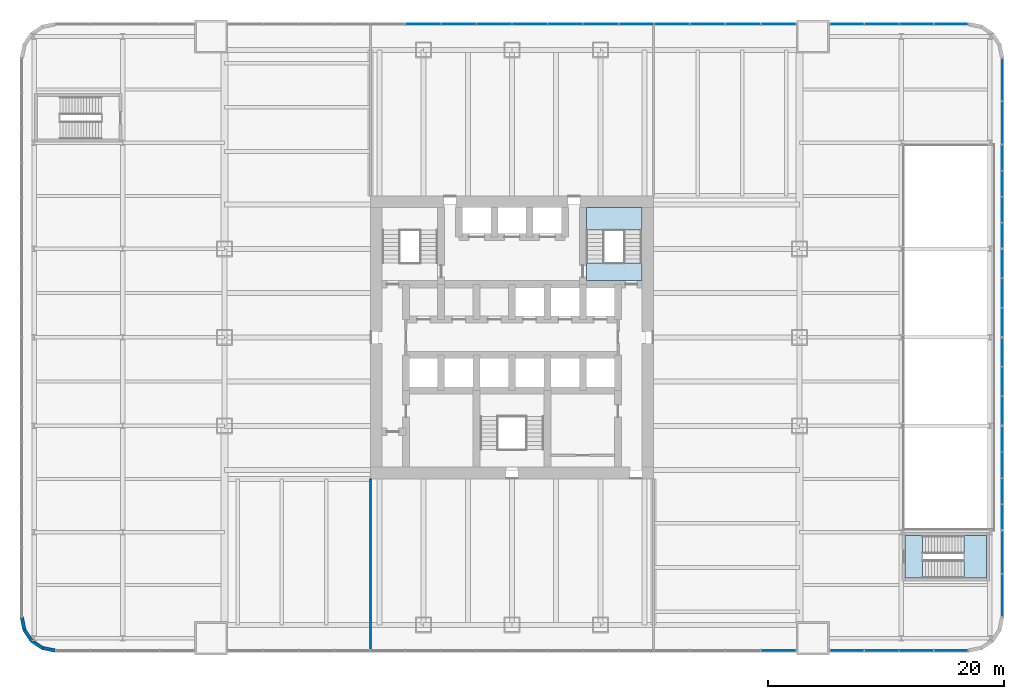
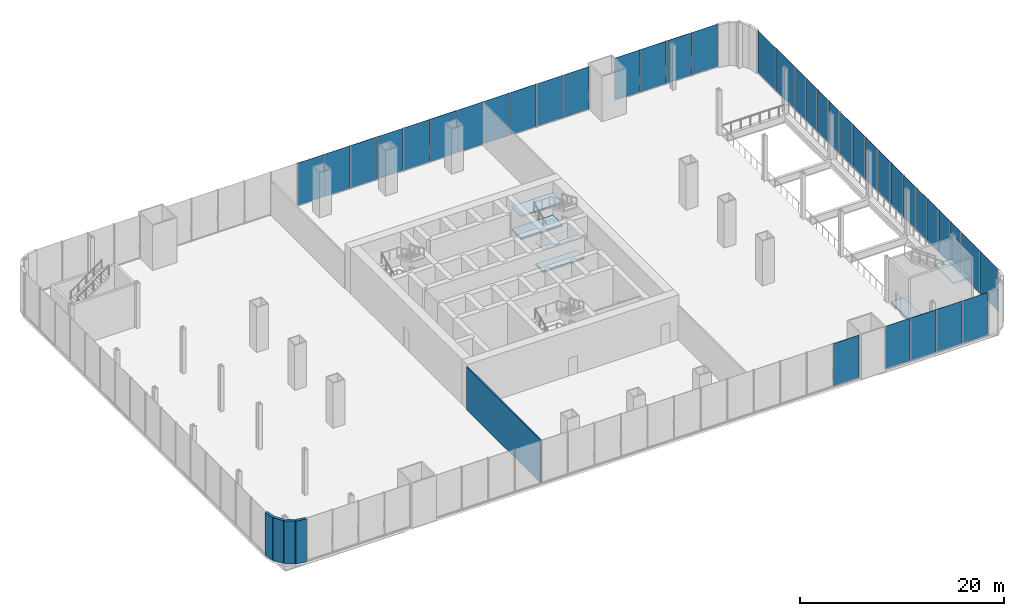
# One storey, part 11 of 16: 38 plates, 6 slabs, 5 walls, 12 elements without a shape of their own.
"""IFC4 building model written with IfcOpenShell, lengths in metres."""

from ifc_helpers import new_model, si_unit, direction, frame, frame_2d, origin, origin_2d, place, context, subcontext, project, spatial, polyline, rectangle, outline, extrude, material, layer, layer_set, type_object, element, aggregate, save


model = new_model("IFC4")

# Units and contexts
model_context = context("Model", 3, precision=1e-05, world=origin(), true_north=direction((0.0, 1.0)))
body_context = subcontext(model_context, "Body", "Model", "MODEL_VIEW")
ifc_project = project(units=[si_unit("LENGTHUNIT", "METRE"), si_unit("AREAUNIT", "SQUARE_METRE"), si_unit("VOLUMEUNIT", "CUBIC_METRE"), si_unit("PLANEANGLEUNIT", "RADIAN"), si_unit("MASSUNIT", "GRAM", prefix="KILO")], contexts=[model_context])

# Site, building, storey
site_placement = place(None, origin())
site = spatial("IfcSite", under=ifc_project, at=site_placement, CompositionType="ELEMENT")
building_placement = place(site_placement, origin())
building = spatial("IfcBuilding", under=site, at=building_placement, Name="Tarangal Relay Tower", CompositionType="ELEMENT")
storey_placement = place(building_placement, frame((0.0, 0.0, 7.199951171875)))
storey = spatial("IfcBuildingStorey", under=building, at=storey_placement, Name="L01", CompositionType="ELEMENT", Elevation=7.199951171875)

# Curtain wall, plates
ifc_material_1 = material(Name="Unitised curtain wall, dark glass and black aluminium", Category="aluminium")
curtain_wall_type_1 = type_object("IfcCurtainWallType", Name="Curtain wall CW-P", PredefinedType="USERDEFINED", material=ifc_material_1)
curtain_wall_1_placement = place(storey_placement, origin())
curtain_wall_1 = element("IfcCurtainWall", 1, at=curtain_wall_1_placement, inside=storey, type_object=curtain_wall_type_1, Name="Curtain wall CW-P Podium N facade L01", ObjectType="UNITISED CURTAIN WALL", PredefinedType="USERDEFINED")
ifc_material_2 = material(Name="Dark tinted insulated glass unit", Category="glass")
ifc_layer_1 = layer(ifc_material_2, 0.033935546875)
ifc_layer_set_1 = layer_set([ifc_layer_1], Name="Glazed panel CW-P 34")
plate_type_1 = type_object("IfcPlateType", Name="Glazed panel CW-P 34", PredefinedType="CURTAIN_PANEL", material=ifc_layer_set_1)
plate_1_placement = place(storey_placement, frame((37.20751953125, 26.550048828125, 0.070068359375), z_axis=(0.0, 0.0, 1.0), x_axis=(-1.0, 0.0, 0.0)))
plate_1 = element("IfcPlate", 2, at=plate_1_placement, type_object=plate_type_1, Name="CW-P panel 1.1", PredefinedType="CURTAIN_PANEL", context=body_context, shape_type="SweptSolid", body=[
    extrude(rectangle(XDim=2.844970703125, YDim=0.033935546875, at=origin_2d()), origin(), (0.0, 0.0, 1.0), 5.080078125),
])
plate_2_placement = place(storey_placement, frame((34.27490234375, 26.550048828125, 0.070068359375), z_axis=(0.0, 0.0, 1.0), x_axis=(-1.0, 0.0, 0.0)))
plate_2 = element("IfcPlate", 3, at=plate_2_placement, type_object=plate_type_1, Name="CW-P panel 2.1", PredefinedType="CURTAIN_PANEL", context=body_context, shape_type="SweptSolid", body=[
    extrude(rectangle(XDim=2.8798828125, YDim=0.033935546875, at=origin_2d()), origin(), (0.0, 0.0, 1.0), 5.080078125),
])
plate_3_placement = place(storey_placement, frame((31.324951171875, 26.550048828125, 0.070068359375), z_axis=(0.0, 0.0, 1.0), x_axis=(-1.0, 0.0, 0.0)))
plate_3 = element("IfcPlate", 4, at=plate_3_placement, type_object=plate_type_1, Name="CW-P panel 3.1", PredefinedType="CURTAIN_PANEL", context=body_context, shape_type="SweptSolid", body=[
    extrude(rectangle(XDim=2.8798828125, YDim=0.033935546875, at=origin_2d()), origin(), (0.0, 0.0, 1.0), 5.080078125),
])
plate_4_placement = place(storey_placement, frame((28.392578125, 26.550048828125, 0.070068359375), z_axis=(0.0, 0.0, 1.0), x_axis=(-1.0, 0.0, 0.0)))
plate_4 = element("IfcPlate", 5, at=plate_4_placement, type_object=plate_type_1, Name="CW-P panel 4.1", PredefinedType="CURTAIN_PANEL", context=body_context, shape_type="SweptSolid", body=[
    extrude(rectangle(XDim=2.844970703125, YDim=0.033935546875, at=origin_2d()), origin(), (0.0, 0.0, 1.0), 5.080078125),
])
aggregate(curtain_wall_1, [plate_1, plate_2, plate_3, plate_4])

curtain_wall_2_placement = place(storey_placement, origin())
curtain_wall_2 = element("IfcCurtainWall", 6, at=curtain_wall_2_placement, inside=storey, type_object=curtain_wall_type_1, Name="Curtain wall CW-P Podium N facade L01", ObjectType="UNITISED CURTAIN WALL", PredefinedType="USERDEFINED")
plate_5_placement = place(storey_placement, frame((22.576171875, 26.550048828125, 0.070068359375), z_axis=(0.0, 0.0, 1.0), x_axis=(-1.0, 0.0, 0.0)))
plate_5 = element("IfcPlate", 7, at=plate_5_placement, type_object=plate_type_1, Name="CW-P panel 1.1", PredefinedType="CURTAIN_PANEL", context=body_context, shape_type="SweptSolid", body=[
    extrude(rectangle(XDim=2.907470703125, YDim=0.033935546875, at=origin_2d()), origin(), (0.0, 0.0, 1.0), 5.080078125),
])
plate_6_placement = place(storey_placement, frame((19.581298828125, 26.550048828125, 0.070068359375), z_axis=(0.0, 0.0, 1.0), x_axis=(-1.0, 0.0, 0.0)))
plate_6 = element("IfcPlate", 8, at=plate_6_placement, type_object=plate_type_1, Name="CW-P panel 2.1", PredefinedType="CURTAIN_PANEL", context=body_context, shape_type="SweptSolid", body=[
    extrude(rectangle(XDim=2.9423828125, YDim=0.033935546875, at=origin_2d()), origin(), (0.0, 0.0, 1.0), 5.080078125),
])
plate_7_placement = place(storey_placement, frame((16.56884765625, 26.550048828125, 0.070068359375), z_axis=(0.0, 0.0, 1.0), x_axis=(-1.0, 0.0, 0.0)))
plate_7 = element("IfcPlate", 9, at=plate_7_placement, type_object=plate_type_1, Name="CW-P panel 3.1", PredefinedType="CURTAIN_PANEL", context=body_context, shape_type="SweptSolid", body=[
    extrude(rectangle(XDim=2.9423828125, YDim=0.033935546875, at=origin_2d()), origin(), (0.0, 0.0, 1.0), 5.080078125),
])
plate_8_placement = place(storey_placement, frame((13.55615234375, 26.550048828125, 0.070068359375), z_axis=(0.0, 0.0, 1.0), x_axis=(-1.0, 0.0, 0.0)))
plate_8 = element("IfcPlate", 10, at=plate_8_placement, type_object=plate_type_1, Name="CW-P panel 4.1", PredefinedType="CURTAIN_PANEL", context=body_context, shape_type="SweptSolid", body=[
    extrude(rectangle(XDim=2.9423828125, YDim=0.033935546875, at=origin_2d()), origin(), (0.0, 0.0, 1.0), 5.080078125),
])
plate_9_placement = place(storey_placement, frame((10.543701171875, 26.550048828125, 0.070068359375), z_axis=(0.0, 0.0, 1.0), x_axis=(-1.0, 0.0, 0.0)))
plate_9 = element("IfcPlate", 11, at=plate_9_placement, type_object=plate_type_1, Name="CW-P panel 5.1", PredefinedType="CURTAIN_PANEL", context=body_context, shape_type="SweptSolid", body=[
    extrude(rectangle(XDim=2.9423828125, YDim=0.033935546875, at=origin_2d()), origin(), (0.0, 0.0, 1.0), 5.080078125),
])
plate_10_placement = place(storey_placement, frame((7.53125, 26.550048828125, 0.070068359375), z_axis=(0.0, 0.0, 1.0), x_axis=(-1.0, 0.0, 0.0)))
plate_10 = element("IfcPlate", 12, at=plate_10_placement, type_object=plate_type_1, Name="CW-P panel 6.1", PredefinedType="CURTAIN_PANEL", context=body_context, shape_type="SweptSolid", body=[
    extrude(rectangle(XDim=2.9423828125, YDim=0.033935546875, at=origin_2d()), origin(), (0.0, 0.0, 1.0), 5.080078125),
])
plate_11_placement = place(storey_placement, frame((4.518798828125, 26.550048828125, 0.070068359375), z_axis=(0.0, 0.0, 1.0), x_axis=(-1.0, 0.0, 0.0)))
plate_11 = element("IfcPlate", 13, at=plate_11_placement, type_object=plate_type_1, Name="CW-P panel 7.1", PredefinedType="CURTAIN_PANEL", context=body_context, shape_type="SweptSolid", body=[
    extrude(rectangle(XDim=2.9423828125, YDim=0.033935546875, at=origin_2d()), origin(), (0.0, 0.0, 1.0), 5.080078125),
])
plate_12_placement = place(storey_placement, frame((1.50634765625, 26.550048828125, 0.070068359375), z_axis=(0.0, 0.0, 1.0), x_axis=(-1.0, 0.0, 0.0)))
plate_12 = element("IfcPlate", 14, at=plate_12_placement, type_object=plate_type_1, Name="CW-P panel 8.1", PredefinedType="CURTAIN_PANEL", context=body_context, shape_type="SweptSolid", body=[
    extrude(rectangle(XDim=2.9423828125, YDim=0.033935546875, at=origin_2d()), origin(), (0.0, 0.0, 1.0), 5.080078125),
])
plate_13_placement = place(storey_placement, frame((-1.50634765625, 26.550048828125, 0.070068359375), z_axis=(0.0, 0.0, 1.0), x_axis=(-1.0, 0.0, 0.0)))
plate_13 = element("IfcPlate", 15, at=plate_13_placement, type_object=plate_type_1, Name="CW-P panel 9.1", PredefinedType="CURTAIN_PANEL", context=body_context, shape_type="SweptSolid", body=[
    extrude(rectangle(XDim=2.9423828125, YDim=0.033935546875, at=origin_2d()), origin(), (0.0, 0.0, 1.0), 5.080078125),
])
plate_14_placement = place(storey_placement, frame((-4.518798828125, 26.550048828125, 0.070068359375), z_axis=(0.0, 0.0, 1.0), x_axis=(-1.0, 0.0, 0.0)))
plate_14 = element("IfcPlate", 16, at=plate_14_placement, type_object=plate_type_1, Name="CW-P panel 10.1", PredefinedType="CURTAIN_PANEL", context=body_context, shape_type="SweptSolid", body=[
    extrude(rectangle(XDim=2.9423828125, YDim=0.033935546875, at=origin_2d()), origin(), (0.0, 0.0, 1.0), 5.080078125),
])
plate_15_placement = place(storey_placement, frame((-7.53125, 26.550048828125, 0.070068359375), z_axis=(0.0, 0.0, 1.0), x_axis=(-1.0, 0.0, 0.0)))
plate_15 = element("IfcPlate", 17, at=plate_15_placement, type_object=plate_type_1, Name="CW-P panel 11.1", PredefinedType="CURTAIN_PANEL", context=body_context, shape_type="SweptSolid", body=[
    extrude(rectangle(XDim=2.9423828125, YDim=0.033935546875, at=origin_2d()), origin(), (0.0, 0.0, 1.0), 5.080078125),
])
aggregate(curtain_wall_2, [plate_5, plate_6, plate_7, plate_8, plate_9, plate_10, plate_11, plate_12, plate_13, plate_14, plate_15])

# Curtain wall, plate
curtain_wall_3_placement = place(storey_placement, origin())
curtain_wall_3 = element("IfcCurtainWall", 18, at=curtain_wall_3_placement, inside=storey, type_object=curtain_wall_type_1, Name="Curtain wall CW-P Podium S facade L01", ObjectType="UNITISED CURTAIN WALL", PredefinedType="USERDEFINED")
plate_16_placement = place(storey_placement, frame((22.576171875, -26.550048828125, 0.070068359375), z_axis=(0.0, 0.0, 1.0), x_axis=(1.0, 0.0, 0.0)))
plate_16 = element("IfcPlate", 19, at=plate_16_placement, type_object=plate_type_1, Name="CW-P panel 16.1", PredefinedType="CURTAIN_PANEL", context=body_context, shape_type="SweptSolid", body=[
    extrude(rectangle(XDim=2.907470703125, YDim=0.033935546875, at=origin_2d()), origin(), (0.0, 0.0, 1.0), 5.080078125),
])
aggregate(curtain_wall_3, [plate_16])

# Curtain wall, plates
curtain_wall_4_placement = place(storey_placement, origin())
curtain_wall_4 = element("IfcCurtainWall", 20, at=curtain_wall_4_placement, inside=storey, type_object=curtain_wall_type_1, Name="Curtain wall CW-P Podium S facade L01", ObjectType="UNITISED CURTAIN WALL", PredefinedType="USERDEFINED")
plate_17_placement = place(storey_placement, frame((28.392578125, -26.550048828125, 0.070068359375), z_axis=(0.0, 0.0, 1.0), x_axis=(1.0, 0.0, 0.0)))
plate_17 = element("IfcPlate", 21, at=plate_17_placement, type_object=plate_type_1, Name="CW-P panel 1.1", PredefinedType="CURTAIN_PANEL", context=body_context, shape_type="SweptSolid", body=[
    extrude(rectangle(XDim=2.844970703125, YDim=0.033935546875, at=origin_2d()), origin(), (0.0, 0.0, 1.0), 5.080078125),
])
plate_18_placement = place(storey_placement, frame((31.324951171875, -26.550048828125, 0.070068359375), z_axis=(0.0, 0.0, 1.0), x_axis=(1.0, 0.0, 0.0)))
plate_18 = element("IfcPlate", 22, at=plate_18_placement, type_object=plate_type_1, Name="CW-P panel 2.1", PredefinedType="CURTAIN_PANEL", context=body_context, shape_type="SweptSolid", body=[
    extrude(rectangle(XDim=2.8798828125, YDim=0.033935546875, at=origin_2d()), origin(), (0.0, 0.0, 1.0), 5.080078125),
])
plate_19_placement = place(storey_placement, frame((34.27490234375, -26.550048828125, 0.070068359375), z_axis=(0.0, 0.0, 1.0), x_axis=(1.0, 0.0, 0.0)))
plate_19 = element("IfcPlate", 23, at=plate_19_placement, type_object=plate_type_1, Name="CW-P panel 3.1", PredefinedType="CURTAIN_PANEL", context=body_context, shape_type="SweptSolid", body=[
    extrude(rectangle(XDim=2.8798828125, YDim=0.033935546875, at=origin_2d()), origin(), (0.0, 0.0, 1.0), 5.080078125),
])
plate_20_placement = place(storey_placement, frame((37.20751953125, -26.550048828125, 0.070068359375), z_axis=(0.0, 0.0, 1.0), x_axis=(1.0, 0.0, 0.0)))
plate_20 = element("IfcPlate", 24, at=plate_20_placement, type_object=plate_type_1, Name="CW-P panel 4.1", PredefinedType="CURTAIN_PANEL", context=body_context, shape_type="SweptSolid", body=[
    extrude(rectangle(XDim=2.844970703125, YDim=0.033935546875, at=origin_2d()), origin(), (0.0, 0.0, 1.0), 5.080078125),
])
aggregate(curtain_wall_4, [plate_17, plate_18, plate_19, plate_20])

curtain_wall_5_placement = place(storey_placement, origin())
curtain_wall_5 = element("IfcCurtainWall", 25, at=curtain_wall_5_placement, inside=storey, type_object=curtain_wall_type_1, Name="Curtain wall CW-P Podium E facade L01", ObjectType="UNITISED CURTAIN WALL", PredefinedType="USERDEFINED")
plate_21_placement = place(storey_placement, frame((41.550048828125, -21.844970703125, 0.070068359375), z_axis=(0.0, 0.0, 1.0), x_axis=(0.0, 1.0, 0.0)))
plate_21 = element("IfcPlate", 26, at=plate_21_placement, type_object=plate_type_1, Name="CW-P panel 1.1", PredefinedType="CURTAIN_PANEL", context=body_context, shape_type="SweptSolid", body=[
    extrude(rectangle(XDim=3.570068359375, YDim=0.033935546875, at=origin_2d()), origin(), (0.0, 0.0, 1.0), 5.080078125),
])
plate_22_placement = place(storey_placement, frame((41.550048828125, -18.205078125, 0.070068359375), z_axis=(0.0, 0.0, 1.0), x_axis=(0.0, 1.0, 0.0)))
plate_22 = element("IfcPlate", 27, at=plate_22_placement, type_object=plate_type_1, Name="CW-P panel 2.1", PredefinedType="CURTAIN_PANEL", context=body_context, shape_type="SweptSolid", body=[
    extrude(rectangle(XDim=3.570068359375, YDim=0.033935546875, at=origin_2d()), origin(), (0.0, 0.0, 1.0), 5.080078125),
])
aggregate(curtain_wall_5, [plate_21, plate_22])

curtain_wall_6_placement = place(storey_placement, origin())
curtain_wall_6 = element("IfcCurtainWall", 28, at=curtain_wall_6_placement, inside=storey, type_object=curtain_wall_type_1, Name="Curtain wall CW-P Podium E facade L01", ObjectType="UNITISED CURTAIN WALL", PredefinedType="USERDEFINED")
plate_23_placement = place(storey_placement, frame((41.550048828125, 18.205078125, 0.070068359375), z_axis=(0.0, 0.0, 1.0), x_axis=(0.0, 1.0, 0.0)))
plate_23 = element("IfcPlate", 29, at=plate_23_placement, type_object=plate_type_1, Name="CW-P panel 1.1", PredefinedType="CURTAIN_PANEL", context=body_context, shape_type="SweptSolid", body=[
    extrude(rectangle(XDim=3.570068359375, YDim=0.033935546875, at=origin_2d()), origin(), (0.0, 0.0, 1.0), 5.080078125),
])
plate_24_placement = place(storey_placement, frame((41.550048828125, 21.844970703125, 0.070068359375), z_axis=(0.0, 0.0, 1.0), x_axis=(0.0, 1.0, 0.0)))
plate_24 = element("IfcPlate", 30, at=plate_24_placement, type_object=plate_type_1, Name="CW-P panel 2.1", PredefinedType="CURTAIN_PANEL", context=body_context, shape_type="SweptSolid", body=[
    extrude(rectangle(XDim=3.570068359375, YDim=0.033935546875, at=origin_2d()), origin(), (0.0, 0.0, 1.0), 5.080078125),
])
aggregate(curtain_wall_6, [plate_23, plate_24])

curtain_wall_type_2 = type_object("IfcCurtainWallType", Name="Curtain wall CW-T", PredefinedType="USERDEFINED", material=ifc_material_1)
curtain_wall_7_placement = place(storey_placement, origin())
curtain_wall_7 = element("IfcCurtainWall", 31, at=curtain_wall_7_placement, inside=storey, type_object=curtain_wall_type_2, Name="Curtain wall CW-T Podium E facade L01", ObjectType="UNITISED CURTAIN WALL", PredefinedType="USERDEFINED")
ifc_layer_2 = layer(ifc_material_2, 0.0400390625)
ifc_layer_set_2 = layer_set([ifc_layer_2], Name="Glazed panel CW-T 40")
plate_type_2 = type_object("IfcPlateType", Name="Glazed panel CW-T 40", PredefinedType="CURTAIN_PANEL", material=ifc_layer_set_2)
plate_25_placement = place(storey_placement, frame((41.550048828125, -15.2236328125, 0.080078125), z_axis=(0.0, 0.0, 1.0), x_axis=(0.0, 1.0, 0.0)))
plate_25 = element("IfcPlate", 32, at=plate_25_placement, type_object=plate_type_2, Name="CW-T panel 1.1", PredefinedType="CURTAIN_PANEL", context=body_context, shape_type="SweptSolid", body=[
    extrude(rectangle(XDim=2.092529296875, YDim=0.0400390625, at=origin_2d()), origin(), (0.0, 0.0, 1.0), 5.070068359375),
])
plate_26_placement = place(storey_placement, frame((41.550048828125, -13.03125, 0.080078125), z_axis=(0.0, 0.0, 1.0), x_axis=(0.0, 1.0, 0.0)))
plate_26 = element("IfcPlate", 33, at=plate_26_placement, type_object=plate_type_2, Name="CW-T panel 2.1", PredefinedType="CURTAIN_PANEL", context=body_context, shape_type="SweptSolid", body=[
    extrude(rectangle(XDim=2.132568359375, YDim=0.0400390625, at=origin_2d()), origin(), (0.0, 0.0, 1.0), 5.070068359375),
])
plate_27_placement = place(storey_placement, frame((41.550048828125, -10.81884765625, 0.080078125), z_axis=(0.0, 0.0, 1.0), x_axis=(0.0, 1.0, 0.0)))
plate_27 = element("IfcPlate", 34, at=plate_27_placement, type_object=plate_type_2, Name="CW-T panel 3.1", PredefinedType="CURTAIN_PANEL", context=body_context, shape_type="SweptSolid", body=[
    extrude(rectangle(XDim=2.132568359375, YDim=0.0400390625, at=origin_2d()), origin(), (0.0, 0.0, 1.0), 5.070068359375),
])
plate_28_placement = place(storey_placement, frame((41.550048828125, -8.626220703125, 0.080078125), z_axis=(0.0, 0.0, 1.0), x_axis=(0.0, 1.0, 0.0)))
plate_28 = element("IfcPlate", 35, at=plate_28_placement, type_object=plate_type_2, Name="CW-T panel 4.1", PredefinedType="CURTAIN_PANEL", context=body_context, shape_type="SweptSolid", body=[
    extrude(rectangle(XDim=2.092529296875, YDim=0.0400390625, at=origin_2d()), origin(), (0.0, 0.0, 1.0), 5.070068359375),
])
aggregate(curtain_wall_7, [plate_25, plate_26, plate_27, plate_28])

curtain_wall_8_placement = place(storey_placement, origin())
curtain_wall_8 = element("IfcCurtainWall", 36, at=curtain_wall_8_placement, inside=storey, type_object=curtain_wall_type_2, Name="Curtain wall CW-T Podium E facade L01", ObjectType="UNITISED CURTAIN WALL", PredefinedType="USERDEFINED")
plate_29_placement = place(storey_placement, frame((41.550048828125, -6.22998046875, 0.080078125), z_axis=(0.0, 0.0, 1.0), x_axis=(0.0, 1.0, 0.0)))
plate_29 = element("IfcPlate", 37, at=plate_29_placement, type_object=plate_type_2, Name="CW-T panel 1.1", PredefinedType="CURTAIN_PANEL", context=body_context, shape_type="SweptSolid", body=[
    extrude(rectangle(XDim=2.3798828125, YDim=0.0400390625, at=origin_2d()), origin(), (0.0, 0.0, 1.0), 5.070068359375),
])
plate_30_placement = place(storey_placement, frame((41.550048828125, -3.75, 0.080078125), z_axis=(0.0, 0.0, 1.0), x_axis=(0.0, 1.0, 0.0)))
plate_30 = element("IfcPlate", 38, at=plate_30_placement, type_object=plate_type_2, Name="CW-T panel 2.1", PredefinedType="CURTAIN_PANEL", context=body_context, shape_type="SweptSolid", body=[
    extrude(rectangle(XDim=2.419921875, YDim=0.0400390625, at=origin_2d()), origin(), (0.0, 0.0, 1.0), 5.070068359375),
])
plate_31_placement = place(storey_placement, frame((41.550048828125, -1.27001953125, 0.080078125), z_axis=(0.0, 0.0, 1.0), x_axis=(0.0, 1.0, 0.0)))
plate_31 = element("IfcPlate", 39, at=plate_31_placement, type_object=plate_type_2, Name="CW-T panel 3.1", PredefinedType="CURTAIN_PANEL", context=body_context, shape_type="SweptSolid", body=[
    extrude(rectangle(XDim=2.3798828125, YDim=0.0400390625, at=origin_2d()), origin(), (0.0, 0.0, 1.0), 5.070068359375),
])
aggregate(curtain_wall_8, [plate_29, plate_30, plate_31])

curtain_wall_9_placement = place(storey_placement, origin())
curtain_wall_9 = element("IfcCurtainWall", 40, at=curtain_wall_9_placement, inside=storey, type_object=curtain_wall_type_2, Name="Curtain wall CW-T Podium E facade L01", ObjectType="UNITISED CURTAIN WALL", PredefinedType="USERDEFINED")
plate_32_placement = place(storey_placement, frame((41.550048828125, 1.27001953125, 0.080078125), z_axis=(0.0, 0.0, 1.0), x_axis=(0.0, 1.0, 0.0)))
plate_32 = element("IfcPlate", 41, at=plate_32_placement, type_object=plate_type_2, Name="CW-T panel 1.1", PredefinedType="CURTAIN_PANEL", context=body_context, shape_type="SweptSolid", body=[
    extrude(rectangle(XDim=2.3798828125, YDim=0.0400390625, at=origin_2d()), origin(), (0.0, 0.0, 1.0), 5.070068359375),
])
plate_33_placement = place(storey_placement, frame((41.550048828125, 3.75, 0.080078125), z_axis=(0.0, 0.0, 1.0), x_axis=(0.0, 1.0, 0.0)))
plate_33 = element("IfcPlate", 42, at=plate_33_placement, type_object=plate_type_2, Name="CW-T panel 2.1", PredefinedType="CURTAIN_PANEL", context=body_context, shape_type="SweptSolid", body=[
    extrude(rectangle(XDim=2.419921875, YDim=0.0400390625, at=origin_2d()), origin(), (0.0, 0.0, 1.0), 5.070068359375),
])
plate_34_placement = place(storey_placement, frame((41.550048828125, 6.22998046875, 0.080078125), z_axis=(0.0, 0.0, 1.0), x_axis=(0.0, 1.0, 0.0)))
plate_34 = element("IfcPlate", 43, at=plate_34_placement, type_object=plate_type_2, Name="CW-T panel 3.1", PredefinedType="CURTAIN_PANEL", context=body_context, shape_type="SweptSolid", body=[
    extrude(rectangle(XDim=2.3798828125, YDim=0.0400390625, at=origin_2d()), origin(), (0.0, 0.0, 1.0), 5.070068359375),
])
aggregate(curtain_wall_9, [plate_32, plate_33, plate_34])

curtain_wall_10_placement = place(storey_placement, origin())
curtain_wall_10 = element("IfcCurtainWall", 44, at=curtain_wall_10_placement, inside=storey, type_object=curtain_wall_type_2, Name="Curtain wall CW-T Podium E facade L01", ObjectType="UNITISED CURTAIN WALL", PredefinedType="USERDEFINED")
plate_35_placement = place(storey_placement, frame((41.550048828125, 8.626220703125, 0.080078125), z_axis=(0.0, 0.0, 1.0), x_axis=(0.0, 1.0, 0.0)))
plate_35 = element("IfcPlate", 45, at=plate_35_placement, type_object=plate_type_2, Name="CW-T panel 1.1", PredefinedType="CURTAIN_PANEL", context=body_context, shape_type="SweptSolid", body=[
    extrude(rectangle(XDim=2.092529296875, YDim=0.0400390625, at=origin_2d()), origin(), (0.0, 0.0, 1.0), 5.070068359375),
])
plate_36_placement = place(storey_placement, frame((41.550048828125, 10.81884765625, 0.080078125), z_axis=(0.0, 0.0, 1.0), x_axis=(0.0, 1.0, 0.0)))
plate_36 = element("IfcPlate", 46, at=plate_36_placement, type_object=plate_type_2, Name="CW-T panel 2.1", PredefinedType="CURTAIN_PANEL", context=body_context, shape_type="SweptSolid", body=[
    extrude(rectangle(XDim=2.132568359375, YDim=0.0400390625, at=origin_2d()), origin(), (0.0, 0.0, 1.0), 5.070068359375),
])
plate_37_placement = place(storey_placement, frame((41.550048828125, 13.03125, 0.080078125), z_axis=(0.0, 0.0, 1.0), x_axis=(0.0, 1.0, 0.0)))
plate_37 = element("IfcPlate", 47, at=plate_37_placement, type_object=plate_type_2, Name="CW-T panel 3.1", PredefinedType="CURTAIN_PANEL", context=body_context, shape_type="SweptSolid", body=[
    extrude(rectangle(XDim=2.132568359375, YDim=0.0400390625, at=origin_2d()), origin(), (0.0, 0.0, 1.0), 5.070068359375),
])
plate_38_placement = place(storey_placement, frame((41.550048828125, 15.2236328125, 0.080078125), z_axis=(0.0, 0.0, 1.0), x_axis=(0.0, 1.0, 0.0)))
plate_38 = element("IfcPlate", 48, at=plate_38_placement, type_object=plate_type_2, Name="CW-T panel 4.1", PredefinedType="CURTAIN_PANEL", context=body_context, shape_type="SweptSolid", body=[
    extrude(rectangle(XDim=2.092529296875, YDim=0.0400390625, at=origin_2d()), origin(), (0.0, 0.0, 1.0), 5.070068359375),
])
aggregate(curtain_wall_10, [plate_35, plate_36, plate_37, plate_38])

# Stair, slabs
ifc_material_3 = material(Name="Steel ASTM A992 stair flight", Category="steel")
stair_type_1 = type_object("IfcStairType", Name="Core stair 1500", PredefinedType="HALF_TURN_STAIR", material=ifc_material_3)
stair_1_placement = place(storey_placement, origin())
stair_1 = element("IfcStair", 49, at=stair_1_placement, inside=storey, type_object=stair_type_1, Name="Stair ST-B L01", PredefinedType="HALF_TURN_STAIR")
ifc_material_4 = material(Name="Concrete fc' 35 MPa", Category="concrete")
ifc_layer_3 = layer(ifc_material_4, 0.199951171875)
ifc_layer_set_3 = layer_set([ifc_layer_3], Name="Stair landing 200")
slab_type = type_object("IfcSlabType", Name="Stair landing 200", PredefinedType="LANDING", material=ifc_layer_set_3)
slab_1_placement = place(storey_placement, frame((0.0, 0.0, -0.199951171875)))
slab_1 = element("IfcSlab", 50, at=slab_1_placement, type_object=slab_type, Name="ST-B landing 1", PredefinedType="LANDING", context=body_context, shape_type="SweptSolid", body=[
    extrude(outline(polyline([(6.300048828125, 4.800048828125), (11.0, 4.800048828125), (11.0, 6.300048828125), (6.300048828125, 6.300048828125), (6.300048828125, 4.800048828125)])), origin(), (0.0, 0.0, 1.0), 0.199951171875),
])
slab_2_placement = place(storey_placement, frame((0.0, 0.0, 1.150146484375)))
slab_2 = element("IfcSlab", 51, at=slab_2_placement, type_object=slab_type, Name="ST-B landing 2", PredefinedType="LANDING", context=body_context, shape_type="SweptSolid", body=[
    extrude(outline(polyline([(6.300048828125, 9.083984375), (11.0, 9.083984375), (11.0, 11.0), (6.300048828125, 11.0), (6.300048828125, 9.083984375)])), origin(), (0.0, 0.0, 1.0), 0.199951171875),
])
slab_3_placement = place(storey_placement, frame((0.0, 0.0, 2.5)))
slab_3 = element("IfcSlab", 52, at=slab_3_placement, type_object=slab_type, Name="ST-B landing 3", PredefinedType="LANDING", context=body_context, shape_type="SweptSolid", body=[
    extrude(outline(polyline([(6.300048828125, 4.800048828125), (11.0, 4.800048828125), (11.0, 6.300048828125), (6.300048828125, 6.300048828125), (6.300048828125, 4.800048828125)])), origin(), (0.0, 0.0, 1.0), 0.199951171875),
])
slab_4_placement = place(storey_placement, frame((0.0, 0.0, 3.85009765625)))
slab_4 = element("IfcSlab", 53, at=slab_4_placement, type_object=slab_type, Name="ST-B landing 4", PredefinedType="LANDING", context=body_context, shape_type="SweptSolid", body=[
    extrude(outline(polyline([(6.300048828125, 9.083984375), (11.0, 9.083984375), (11.0, 11.0), (6.300048828125, 11.0), (6.300048828125, 9.083984375)])), origin(), (0.0, 0.0, 1.0), 0.199951171875),
])
aggregate(stair_1, [slab_1, slab_2, slab_3, slab_4])

stair_type_2 = type_object("IfcStairType", Name="Podium stair 1500", PredefinedType="HALF_TURN_STAIR", material=ifc_material_3)
stair_2_placement = place(storey_placement, origin())
stair_2 = element("IfcStair", 54, at=stair_2_placement, inside=storey, type_object=stair_type_2, Name="Stair ST-E L01", PredefinedType="HALF_TURN_STAIR")
slab_5_placement = place(storey_placement, frame((0.0, 0.0, -0.199951171875)))
slab_5 = element("IfcSlab", 55, at=slab_5_placement, type_object=slab_type, Name="ST-E landing 1", PredefinedType="LANDING", context=body_context, shape_type="SweptSolid", body=[
    extrude(outline(polyline([(34.800048828125, -20.39990234375), (34.800048828125, -16.800048828125), (33.300048828125, -16.800048828125), (33.300048828125, -20.39990234375), (34.800048828125, -20.39990234375)])), origin(), (0.0, 0.0, 1.0), 0.199951171875),
])
slab_6_placement = place(storey_placement, frame((0.0, 0.0, 2.5)))
slab_6 = element("IfcSlab", 56, at=slab_6_placement, type_object=slab_type, Name="ST-E landing 2", PredefinedType="LANDING", context=body_context, shape_type="SweptSolid", body=[
    extrude(outline(polyline([(40.199951171875, -20.39990234375), (40.199951171875, -16.800048828125), (38.300048828125, -16.800048828125), (38.300048828125, -20.39990234375), (40.199951171875, -20.39990234375)])), origin(), (0.0, 0.0, 1.0), 0.199951171875),
])
aggregate(stair_2, [slab_5, slab_6])

# Walls
ifc_material_5 = material(Name="Gypsum board on steel studs", Category="steel")
ifc_layer_4 = layer(ifc_material_5, 0.14990234375)
ifc_layer_set_4 = layer_set([ifc_layer_4], Name="Partition 150")
wall_type_1 = type_object("IfcWallType", Name="Partition 150", PredefinedType="PARTITIONING", material=ifc_layer_set_4)
wall_placement = place(storey_placement, frame((-12.0, -12.0, 0.0), z_axis=(0.0, 0.0, 1.0), x_axis=(0.0, -1.0, 0.0)))
element("IfcWall", 57, at=wall_placement, inside=storey, type_object=wall_type_1, Name="Partition PT1 L01", PredefinedType="PARTITIONING", context=body_context, shape_type="SweptSolid", body=[
    extrude(rectangle(XDim=14.449951171875, YDim=0.14990234375, at=frame_2d((7.22509765625, 0.0))), origin(), (0.0, 0.0, 1.0), 5.150146484375),
])
ifc_material_6 = material(Name="Black granite clad concrete wall", Category="masonry")
ifc_layer_5 = layer(ifc_material_6, 0.300048828125)
ifc_layer_set_5 = layer_set([ifc_layer_5], Name="Podium wall 300")
wall_type_2 = type_object("IfcWallType", Name="Podium wall 300", PredefinedType="SOLIDWALL", material=ifc_layer_set_5)
for number, where, z_axis, x_axis, name in (
    (58, (-41.550048828125, -23.699951171875, 0.0), (0.0, 0.0, 1.0), (0.195187147506, -0.980766015647, 0.0), "Podium corner wall L01"),
    (59, (-41.3330078125, -24.79052734375, 0.0), (0.0, 0.0, 1.0), (0.555409243355, -0.831577159616, 0.0), "Podium corner wall L01"),
    (60, (-40.71533203125, -25.71533203125, 0.0), (0.0, 0.0, 1.0), (0.831577159616, -0.555409243355, 0.0), "Podium corner wall L01"),
    (61, (-39.79052734375, -26.3330078125, 0.0), (0.0, 0.0, 1.0), (0.980766015647, -0.195187147506, 0.0), "Podium corner wall L01"),
):
    element("IfcWall", number, at=place(storey_placement, frame(where, z_axis=z_axis, x_axis=x_axis)), inside=storey, type_object=wall_type_2, Name=name, PredefinedType="SOLIDWALL", context=body_context, shape_type="SweptSolid", body=[
        extrude(rectangle(XDim=1.112060546875, YDim=0.300048828125, at=frame_2d((0.55615234375, 0.0))), origin(), (0.0, 0.0, 1.0), 5.150146484375),
    ])

save(model, "model.ifc")
